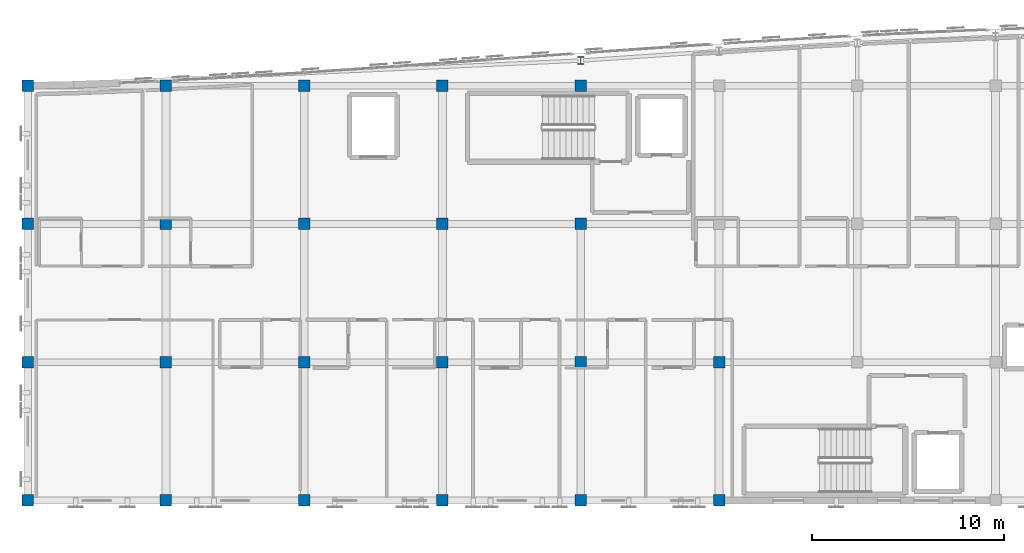
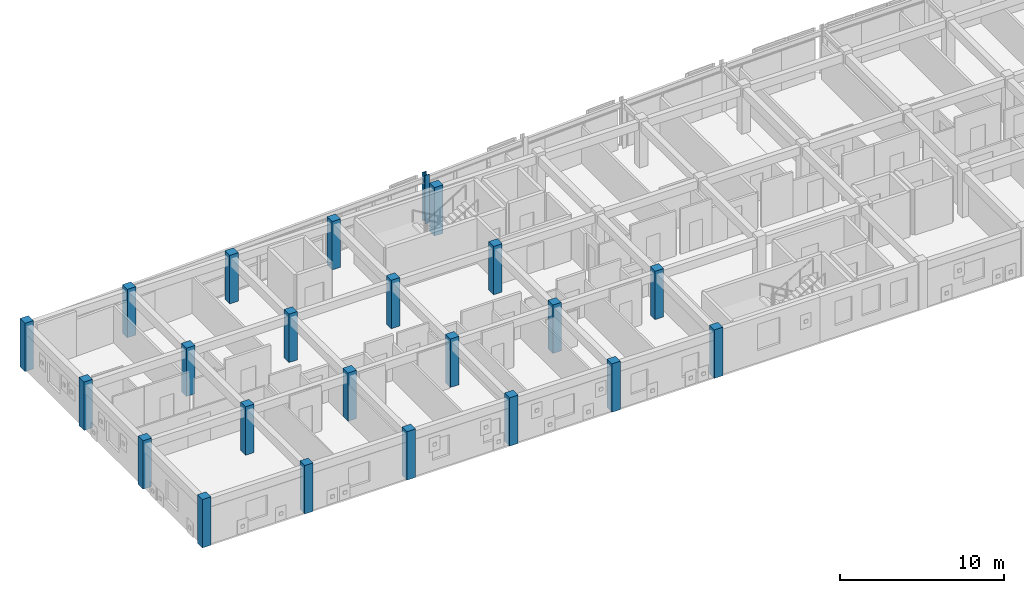
# One storey, part 1 of 51: 23 columns.
"""IFC4 building model written with IfcOpenShell, lengths in metres."""

from ifc_helpers import new_model, si_unit, direction, frame, origin, origin_2d, place, context, subcontext, project, spatial, rectangle, i_section, extrude, material, material_profile, profile_set, type_object, element, save


model = new_model("IFC4")

# Units and contexts
model_context = context("Model", 3, precision=1e-05, world=origin(), true_north=direction((0.0, 1.0)))
body_context = subcontext(model_context, "Body", "Model", "MODEL_VIEW")
ifc_project = project(units=[si_unit("LENGTHUNIT", "METRE"), si_unit("AREAUNIT", "SQUARE_METRE"), si_unit("VOLUMEUNIT", "CUBIC_METRE"), si_unit("PLANEANGLEUNIT", "RADIAN"), si_unit("MASSUNIT", "GRAM", prefix="KILO")], contexts=[model_context])

# Site, building, storey
site_placement = place(None, origin())
site = spatial("IfcSite", under=ifc_project, at=site_placement, CompositionType="ELEMENT")
building_placement = place(site_placement, origin())
building = spatial("IfcBuilding", under=site, at=building_placement, Name="Carrowvane Square Congress Hotel", CompositionType="ELEMENT")
storey_placement = place(building_placement, frame((0.0, 0.0, 30.0)))
storey = spatial("IfcBuildingStorey", under=building, at=storey_placement, Name="L07", CompositionType="ELEMENT", Elevation=30.0)

# Columns
ifc_material_1 = material(Name="Concrete C40/50", Category="concrete")
ifc_material_profile_1 = material_profile(ifc_material_1, rectangle(XDim=0.60009765625, YDim=0.60009765625, at=origin_2d()), Name="RC 600x600")
ifc_profile_set_1 = profile_set([ifc_material_profile_1], Name="Concrete C40/50")
column_type_1 = type_object("IfcColumnType", Name="COL-RC-600", PredefinedType="COLUMN", material=ifc_profile_set_1)
for number, where, z_axis, x_axis, name in (
    (1, (33.199951171875, 91.800048828125, 0.0), (0.0, 0.0, 1.0), (1.0, 0.0, 0.0), "L07 column 4/N"),
    (2, (33.199951171875, 99.0, 0.0), (0.0, 0.0, 1.0), (1.0, 0.0, 0.0), "L07 column 4/P"),
    (3, (33.199951171875, 106.199951171875, 0.0), (0.0, 0.0, 1.0), (1.0, 0.0, 0.0), "L07 column 4/Q"),
    (4, (33.199951171875, 113.39990234375, 0.0), (0.0, 0.0, 1.0), (1.0, 0.0, 0.0), "L07 column 4/R"),
    (5, (40.39990234375, 91.800048828125, 0.0), (0.0, 0.0, 1.0), (1.0, 0.0, 0.0), "L07 column 5/N"),
    (6, (40.39990234375, 99.0, 0.0), (0.0, 0.0, 1.0), (1.0, 0.0, 0.0), "L07 column 5/P"),
    (7, (40.39990234375, 106.199951171875, 0.0), (0.0, 0.0, 1.0), (1.0, 0.0, 0.0), "L07 column 5/Q"),
    (8, (40.39990234375, 113.39990234375, 0.0), (0.0, 0.0, 1.0), (1.0, 0.0, 0.0), "L07 column 5/R"),
    (9, (47.60009765625, 91.800048828125, 0.0), (0.0, 0.0, 1.0), (1.0, 0.0, 0.0), "L07 column 6/N"),
    (10, (47.60009765625, 99.0, 0.0), (0.0, 0.0, 1.0), (1.0, 0.0, 0.0), "L07 column 6/P"),
    (11, (47.60009765625, 106.199951171875, 0.0), (0.0, 0.0, 1.0), (1.0, 0.0, 0.0), "L07 column 6/Q"),
    (12, (47.60009765625, 113.39990234375, 0.0), (0.0, 0.0, 1.0), (1.0, 0.0, 0.0), "L07 column 6/R"),
    (13, (54.800048828125, 91.800048828125, 0.0), (0.0, 0.0, 1.0), (1.0, 0.0, 0.0), "L07 column 7/N"),
    (14, (54.800048828125, 99.0, 0.0), (0.0, 0.0, 1.0), (1.0, 0.0, 0.0), "L07 column 7/P"),
    (15, (54.800048828125, 106.199951171875, 0.0), (0.0, 0.0, 1.0), (1.0, 0.0, 0.0), "L07 column 7/Q"),
    (16, (54.800048828125, 113.39990234375, 0.0), (0.0, 0.0, 1.0), (1.0, 0.0, 0.0), "L07 column 7/R"),
    (17, (62.0, 91.800048828125, 0.0), (0.0, 0.0, 1.0), (1.0, 0.0, 0.0), "L07 column 8/N"),
    (18, (62.0, 99.0, 0.0), (0.0, 0.0, 1.0), (1.0, 0.0, 0.0), "L07 column 8/P"),
    (19, (62.0, 106.199951171875, 0.0), (0.0, 0.0, 1.0), (1.0, 0.0, 0.0), "L07 column 8/Q"),
    (20, (62.0, 113.39990234375, 0.0), (0.0, 0.0, 1.0), (1.0, 0.0, 0.0), "L07 column 8/R"),
    (21, (69.199951171875, 91.800048828125, 0.0), (0.0, 0.0, 1.0), (1.0, 0.0, 0.0), "L07 column 9/N"),
    (22, (69.199951171875, 99.0, 0.0), (0.0, 0.0, 1.0), (1.0, 0.0, 0.0), "L07 column 9/P"),
):
    element("IfcColumn", number, at=place(storey_placement, frame(where, z_axis=z_axis, x_axis=x_axis)), inside=storey, type_object=column_type_1, Name=name, PredefinedType="COLUMN", context=body_context, shape_type="SweptSolid", body=[
        extrude(rectangle(XDim=0.60009765625, YDim=0.60009765625, at=origin_2d()), origin(), (0.0, 0.0, 1.0), 3.60009765625),
    ])
ifc_material_2 = material(Name="Steel S355", Category="steel")
ifc_material_profile_2 = material_profile(ifc_material_2, i_section(OverallWidth=0.300048828125, OverallDepth=0.39990234375, WebThickness=0.013427734375, FlangeThickness=0.02392578125, FilletRadius=0.027099609375, at=origin_2d()), Name="HEB 400")
ifc_profile_set_2 = profile_set([ifc_material_profile_2], Name="Steel S355")
column_type_2 = type_object("IfcColumnType", Name="COL-ST-HEB400", PredefinedType="COLUMN", material=ifc_profile_set_2)
column_placement = place(storey_placement, frame((62.0, 114.7060546875, 0.0), z_axis=(0.0, 0.0, 1.0), x_axis=(1.0, 0.0, 0.0)))
element("IfcColumn", 23, at=column_placement, inside=storey, type_object=column_type_2, Name="L07 column 8/ARC", PredefinedType="COLUMN", context=body_context, shape_type="SweptSolid", body=[
    extrude(i_section(OverallWidth=0.300048828125, OverallDepth=0.39990234375, WebThickness=0.013427734375, FlangeThickness=0.02392578125, FilletRadius=0.027099609375, at=origin_2d()), origin(), (0.0, 0.0, 1.0), 3.60009765625),
])

save(model, "model.ifc")
